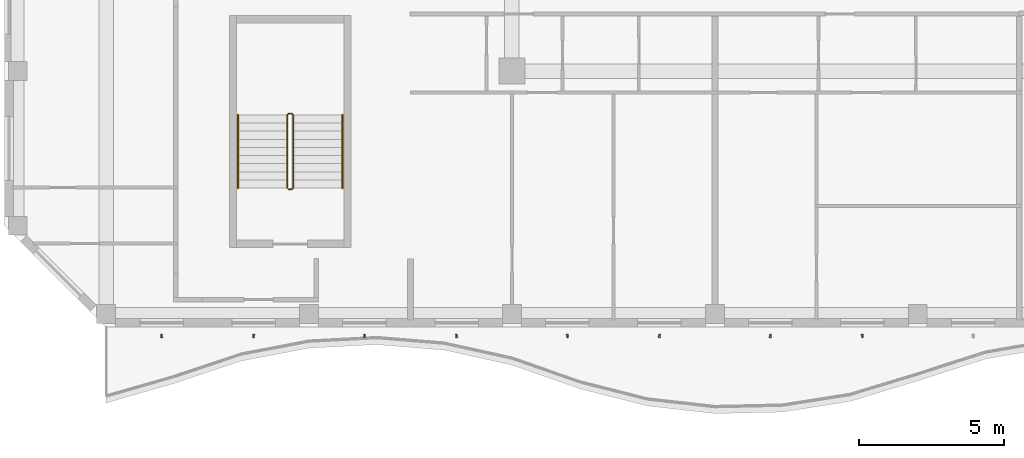
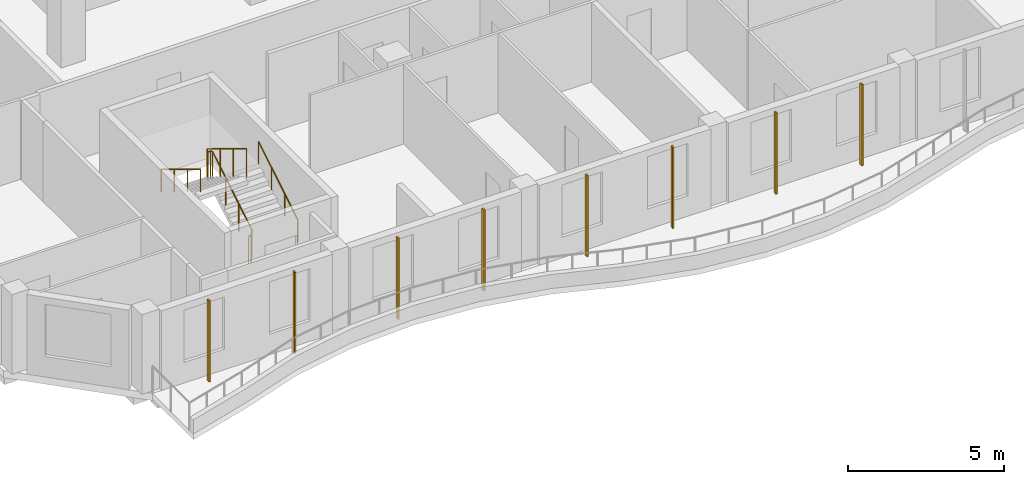
# One storey, part 12 of 18: 8 shading devices, 3 railings.
"""IFC4 building model written with IfcOpenShell, lengths in metres."""

import ifcopenshell
import ifcopenshell.guid

model = None  # the IFC model being written
_history = None  # IfcOwnerHistory: only IFC2X3 demands one
_inside = {}  # id of a spatial element -> (the spatial element, [elements in it])
_under = {}  # id of a project, library or spatial element -> (it, [spatial elements below it])
_declared = {}  # id of a project -> (the project, [libraries it declares])
_typed = {}  # id of a type object -> (the type object, [elements of that type])
_made_of = {}  # id of a material, layer set ... -> (it, [elements and type objects made of it])


def new_model(schema):
    """Start an empty IFC model of exactly this schema.

    Asked for "IFC4X3", IfcOpenShell would pick the latest addendum, in which some entities
    have other attributes; the version numbers below select the first issue.
    IFC2X3 requires an IfcOwnerHistory on every rooted entity: one is made here for all.
    """
    global model, _history
    if schema == "IFC4X3":
        model = ifcopenshell.file(schema_version=(4, 3, 0, 0))
    else:
        model = ifcopenshell.file(schema=schema)
    _inside.clear()
    _under.clear()
    _declared.clear()
    _typed.clear()
    _made_of.clear()
    _history = None
    if model.schema == "IFC2X3":
        org = make("IfcOrganization", Name="unknown")
        user = make(
            "IfcPersonAndOrganization",
            ThePerson=make("IfcPerson", FamilyName="unknown"),
            TheOrganization=org,
        )
        app = make(
            "IfcApplication",
            ApplicationDeveloper=org,
            Version="unknown",
            ApplicationFullName="unknown",
            ApplicationIdentifier="unknown",
        )
        _history = make(
            "IfcOwnerHistory",
            OwningUser=user,
            OwningApplication=app,
            ChangeAction="ADDED",
            CreationDate=0,
        )
    return model


def make(cls, **values):
    """One entity of the class cls with the attributes given. An attribute that is None is left unset."""
    return model.create_entity(
        cls, **{name: value for name, value in values.items() if value is not None}
    )


def rooted(cls, **values):
    """An entity with a GlobalId (a new one), such as an element, a storey or a relation."""
    return make(cls, GlobalId=ifcopenshell.guid.new(), OwnerHistory=_history, **values)


def si_unit(unit_type, name, prefix=None):
    """IfcSIUnit, for example si_unit("LENGTHUNIT", "METRE", prefix="MILLI")."""
    return make("IfcSIUnit", UnitType=unit_type, Prefix=prefix, Name=name)


def assignment(units):
    """IfcUnitAssignment: the units of a project."""
    return None if units is None else make("IfcUnitAssignment", Units=units)


def point(xyz):
    """IfcCartesianPoint."""
    return None if xyz is None else make("IfcCartesianPoint", Coordinates=xyz)


def direction(xyz):
    """IfcDirection."""
    return None if xyz is None else make("IfcDirection", DirectionRatios=xyz)


def frame(location, z_axis=None, x_axis=None):
    """IfcAxis2Placement3D, a coordinate frame: its origin and axes. An axis left out is left unset."""
    return make(
        "IfcAxis2Placement3D",
        Location=point(location),
        Axis=direction(z_axis),
        RefDirection=direction(x_axis),
    )


def frame_2d(location, x_axis=None):
    """IfcAxis2Placement2D, a coordinate frame in the plane: its origin and x axis."""
    return make(
        "IfcAxis2Placement2D", Location=point(location), RefDirection=direction(x_axis)
    )


def origin():
    """The frame at (0, 0, 0) with its axes left unset."""
    return frame((0.0, 0.0, 0.0))


def origin_2d():
    """The frame at (0, 0) in the plane with its x axis left unset."""
    return frame_2d((0.0, 0.0))


def place(relative_to, where):
    """IfcLocalPlacement: puts the frame where relative to a parent placement (None: the world)."""
    return make(
        "IfcLocalPlacement", PlacementRelTo=relative_to, RelativePlacement=where
    )


def context(
    kind, dimensions, precision=None, world=None, true_north=None, identifier=None
):
    """IfcGeometricRepresentationContext, for example the 3D "Model" context."""
    return make(
        "IfcGeometricRepresentationContext",
        ContextIdentifier=identifier,
        ContextType=kind,
        CoordinateSpaceDimension=dimensions,
        Precision=precision,
        WorldCoordinateSystem=world,
        TrueNorth=true_north,
    )


def subcontext(parent, identifier, kind, view, scale=None):
    """IfcGeometricRepresentationSubContext, for example "Body" below "Model"."""
    return make(
        "IfcGeometricRepresentationSubContext",
        ContextIdentifier=identifier,
        ContextType=kind,
        ParentContext=parent,
        TargetScale=scale,
        TargetView=view,
    )


def project(units=None, contexts=None):
    """IfcProject with its units and contexts."""
    return rooted(
        "IfcProject",
        Name="project",
        RepresentationContexts=contexts,
        UnitsInContext=assignment(units),
    )


def spatial(cls, under=None, at=None, **own):
    """A site, building, storey or space (cls), placed at a placement, below another one or the project."""
    s = rooted(cls, ObjectPlacement=at, **own)
    if under is not None:
        _under.setdefault(under.id(), (under, []))[1].append(s)
    return s


def profile(cls, at=None, kind="AREA", **sizes):
    """A parametric profile (cls). Its sizes go by their IFC names, for example OverallWidth=200.0."""
    return make(cls, ProfileType=kind, Position=at, **sizes)


def rectangle(**sizes):
    """IfcRectangleProfileDef."""
    return profile("IfcRectangleProfileDef", **sizes)


def circle(**sizes):
    """IfcCircleProfileDef."""
    return profile("IfcCircleProfileDef", **sizes)


def extrude(swept, where, along, depth):
    """IfcExtrudedAreaSolid: the profile swept, set in the frame where, extruded along a direction by depth."""
    return make(
        "IfcExtrudedAreaSolid",
        SweptArea=swept,
        Position=where,
        ExtrudedDirection=direction(along),
        Depth=depth,
    )


def shape(context_of_items, identifier, shape_type, items):
    """IfcShapeRepresentation: the items that make up one representation, for example the "Body"."""
    return make(
        "IfcShapeRepresentation",
        ContextOfItems=context_of_items,
        RepresentationIdentifier=identifier,
        RepresentationType=shape_type,
        Items=items,
    )


def source(mapping_origin, context_of_items, identifier, shape_type, items):
    """IfcRepresentationMap: a shape defined once, which mapped items show again and again."""
    return make(
        "IfcRepresentationMap",
        MappingOrigin=mapping_origin,
        MappedRepresentation=shape(context_of_items, identifier, shape_type, items),
    )


def transform(
    local_origin,
    x_axis=None,
    y_axis=None,
    z_axis=None,
    scale=None,
    scale2=None,
    scale3=None,
    uniform=True,
):
    """IfcCartesianTransformationOperator3D, or its non-uniform kind. x_axis, y_axis, z_axis: its Axis1, 2, 3."""
    if uniform:
        return make(
            "IfcCartesianTransformationOperator3D",
            Axis1=direction(x_axis),
            Axis2=direction(y_axis),
            LocalOrigin=point(local_origin),
            Scale=scale,
            Axis3=direction(z_axis),
        )
    return make(
        "IfcCartesianTransformationOperator3DnonUniform",
        Axis1=direction(x_axis),
        Axis2=direction(y_axis),
        LocalOrigin=point(local_origin),
        Scale=scale,
        Axis3=direction(z_axis),
        Scale2=scale2,
        Scale3=scale3,
    )


def mapped(mapping_source, mapping_target):
    """IfcMappedItem: shows the shape of a source again, moved by a transform."""
    return make(
        "IfcMappedItem", MappingSource=mapping_source, MappingTarget=mapping_target
    )


def material(Name=None, Category=None):
    """IfcMaterial."""
    return make("IfcMaterial", Name=Name, Category=Category)


def material_profile(
    of_material, cross_section, Name=None, Category=None, Priority=None
):
    """IfcMaterialProfile: a cross section and its material."""
    return make(
        "IfcMaterialProfile",
        Name=Name,
        Material=of_material,
        Profile=cross_section,
        Priority=Priority,
        Category=Category,
    )


def profile_set(profiles, Name=None, composite=None):
    """IfcMaterialProfileSet."""
    return make(
        "IfcMaterialProfileSet",
        Name=Name,
        MaterialProfiles=profiles,
        CompositeProfile=composite,
    )


def made_of(thing, what):
    """Note that an element or type object is made of a material, layer set ...; save() writes the relation."""
    if what is not None:
        _made_of.setdefault(what.id(), (what, []))[1].append(thing)
    return thing


def type_object(cls, material=None, **own):
    """A type object (cls), such as IfcWallType, which elements share."""
    return made_of(rooted(cls, **own), material)


def element(
    cls,
    number,
    at=None,
    inside=None,
    cuts=None,
    type_object=None,
    material=None,
    context=None,
    identifier="Body",
    shape_type=None,
    held_by="IfcProductDefinitionShape",
    body=None,
    shapes=None,
    **own,
):
    """One element of the class cls, such as IfcWall. Its Tag is "e" and its number.

    at: its placement. inside: the storey or other place that contains it. cuts: it is an
    opening in that element (IfcRelVoidsElement). A single representation is given by context,
    identifier, shape_type and body (its items); several are given by shapes. held_by: the class
    of the entity that holds the representations. save() writes the other relations.
    """
    e = rooted(cls, Tag="e%d" % number, ObjectPlacement=at, **own)
    if body is not None:
        shapes = [shape(context, identifier, shape_type, body)]
    if shapes is not None:
        e.Representation = make(held_by, Representations=shapes)
    if inside is not None:
        _inside.setdefault(inside.id(), (inside, []))[1].append(e)
    if cuts is not None:
        rooted(
            "IfcRelVoidsElement", RelatingBuildingElement=cuts, RelatedOpeningElement=e
        )
    if type_object is not None:
        _typed.setdefault(type_object.id(), (type_object, []))[1].append(e)
    return made_of(e, material)


def aggregate(whole, parts):
    """IfcRelAggregates: a whole, such as a stair, and the parts it consists of."""
    return rooted("IfcRelAggregates", RelatingObject=whole, RelatedObjects=parts)


def save(model, path):
    """Write the relations noted so far, then the file.

    IfcRelAggregates (storeys below a building ...), IfcRelContainedInSpatialStructure (elements
    in a storey), IfcRelDefinesByType, IfcRelAssociatesMaterial and IfcRelDeclares: one each for
    every whole, place, type object, material and project.
    """
    for whole, parts in _under.values():
        aggregate(whole, parts)
    for where, things in _inside.values():
        rooted(
            "IfcRelContainedInSpatialStructure",
            RelatedElements=things,
            RelatingStructure=where,
        )
    for kind, things in _typed.values():
        rooted("IfcRelDefinesByType", RelatedObjects=things, RelatingType=kind)
    for what, things in _made_of.values():
        rooted("IfcRelAssociatesMaterial", RelatedObjects=things, RelatingMaterial=what)
    for by, libraries in _declared.values():
        rooted("IfcRelDeclares", RelatingContext=by, RelatedDefinitions=libraries)
    model.write(path)


model = new_model("IFC4")

# Units and contexts
model_context = context("Model", 3, precision=1e-05, world=origin(), true_north=direction((0.0, 1.0)))
body_context = subcontext(model_context, "Body", "Model", "MODEL_VIEW")
ifc_project = project(units=[si_unit("LENGTHUNIT", "METRE"), si_unit("AREAUNIT", "SQUARE_METRE"), si_unit("VOLUMEUNIT", "CUBIC_METRE"), si_unit("PLANEANGLEUNIT", "RADIAN"), si_unit("MASSUNIT", "GRAM", prefix="KILO")], contexts=[model_context])

# Site, building, storey
site_placement = place(None, origin())
site = spatial("IfcSite", under=ifc_project, at=site_placement, CompositionType="ELEMENT")
building_placement = place(site_placement, origin())
building = spatial("IfcBuilding", under=site, at=building_placement, Name="Kilnfold Tower and Market Hall", CompositionType="ELEMENT")
storey_placement = place(building_placement, frame((0.0, 0.0, 280.60009765625)))
storey = spatial("IfcBuildingStorey", under=building, at=storey_placement, Name="L69", CompositionType="ELEMENT", Elevation=280.60009765625)

# Railings
ifc_material_1 = material(Name="Stainless steel 316", Category="steel")
railing_type_1 = type_object("IfcRailingType", Name="CORE STAIR GUARD 1100", PredefinedType="GUARDRAIL", material=ifc_material_1)
railing_1_placement = place(storey_placement, frame((-15.699951171875, -13.75, 0.0)))
element("IfcRailing", 1, at=railing_1_placement, inside=storey, type_object=railing_type_1, Name="L69 ST3 stair guard 1", PredefinedType="GUARDRAIL", context=body_context, shape_type="SweptSolid", body=[
    extrude(circle(Radius=0.02392578125, at=origin_2d()), frame((0.0, 0.0, 1.076171875), z_axis=(1.0, 0.0, 0.0), x_axis=(0.0, 1.0, 0.0)), (0.0, 0.0, 1.0), 0.099853515625),
    extrude(circle(Radius=0.02392578125, at=origin_2d()), frame((0.099853515625, 0.0, 1.076171875), z_axis=(0.271895245746, 0.271895245746, 0.923117517265), x_axis=(-0.707106781187, 0.707106781187, 0.0)), (0.0, 0.0, 1.0), 0.18408203125),
    extrude(circle(Radius=0.02392578125, at=origin_2d()), frame((0.14990234375, 0.050048828125, 1.24609375), z_axis=(0.0, 0.85478489116, 0.518982456201), x_axis=(-1.0, 0.0, 0.0)), (0.0, 0.0, 1.0), 2.9482421875),
    extrude(circle(Radius=0.02392578125, at=origin_2d()), frame((0.14990234375, 2.570068359375, 2.77587890625), z_axis=(-0.707106781187, 0.707106781187, 0.0), x_axis=(-0.707106781187, -0.707106781187, 0.0)), (0.0, 0.0, 1.0), 0.07080078125),
    extrude(circle(Radius=0.02392578125, at=origin_2d()), frame((0.099853515625, 2.6201171875, 2.77587890625), z_axis=(-1.0, 0.0, 0.0), x_axis=(0.0, -1.0, 0.0)), (0.0, 0.0, 1.0), 0.099853515625),
    extrude(circle(Radius=0.02392578125, at=origin_2d()), frame((0.0, 2.6201171875, 2.77587890625), z_axis=(-0.271895245746, -0.271895245746, 0.923117517265), x_axis=(0.707106781187, -0.707106781187, 0.0)), (0.0, 0.0, 1.0), 0.18408203125),
    extrude(circle(Radius=0.02392578125, at=origin_2d()), frame((-0.050048828125, 2.570068359375, 2.94580078125), z_axis=(0.0, -0.85478489116, 0.518982456201), x_axis=(1.0, 0.0, 0.0)), (0.0, 0.0, 1.0), 2.9482421875),
    extrude(circle(Radius=0.02099609375, at=origin_2d()), origin(), (0.0, 0.0, 1.0), 1.052001953125),
    extrude(circle(Radius=0.02099609375, at=origin_2d()), frame((0.099853515625, 0.0, 0.0)), (0.0, 0.0, 1.0), 1.052001953125),
    extrude(circle(Radius=0.02099609375, at=origin_2d()), frame((0.14990234375, 0.050048828125, 0.169921875)), (0.0, 0.0, 1.0), 1.052001953125),
    extrude(circle(Radius=0.02099609375, at=origin_2d()), frame((0.14990234375, 0.89013671875, 0.679931640625)), (0.0, 0.0, 1.0), 1.052001953125),
    extrude(circle(Radius=0.02099609375, at=origin_2d()), frame((0.14990234375, 1.72998046875, 1.18994140625)), (0.0, 0.0, 1.0), 1.052001953125),
    extrude(circle(Radius=0.02099609375, at=origin_2d()), frame((0.14990234375, 2.570068359375, 1.699951171875)), (0.0, 0.0, 1.0), 1.052001953125),
    extrude(circle(Radius=0.02099609375, at=origin_2d()), frame((0.099853515625, 2.6201171875, 1.699951171875)), (0.0, 0.0, 1.0), 1.052001953125),
    extrude(circle(Radius=0.02099609375, at=origin_2d()), frame((0.0, 2.6201171875, 1.699951171875)), (0.0, 0.0, 1.0), 1.052001953125),
    extrude(circle(Radius=0.02099609375, at=origin_2d()), frame((-0.050048828125, 2.570068359375, 1.869873046875)), (0.0, 0.0, 1.0), 1.052001953125),
    extrude(circle(Radius=0.02099609375, at=origin_2d()), frame((-0.050048828125, 1.72998046875, 2.3798828125)), (0.0, 0.0, 1.0), 1.052001953125),
    extrude(circle(Radius=0.02099609375, at=origin_2d()), frame((-0.050048828125, 0.89013671875, 2.889892578125)), (0.0, 0.0, 1.0), 1.052001953125),
    extrude(circle(Radius=0.02099609375, at=origin_2d()), frame((-0.050048828125, 0.050048828125, 3.39990234375)), (0.0, 0.0, 1.0), 1.052001953125),
])
ifc_material_2 = material(Name="Stainless steel 316", Category="steel")
railing_type_2 = type_object("IfcRailingType", Name="CORE STAIR HANDRAIL 900", PredefinedType="HANDRAIL", material=ifc_material_2)
railing_2_placement = place(storey_placement, frame((-13.85009765625, -13.699951171875, 0.169921875)))
element("IfcRailing", 2, at=railing_2_placement, inside=storey, type_object=railing_type_2, Name="L69 ST3 stair handrail 1", PredefinedType="HANDRAIL", context=body_context, shape_type="SweptSolid", body=[
    extrude(circle(Radius=0.02392578125, at=origin_2d()), frame((0.0, 0.0, 0.8759765625), z_axis=(0.0, 0.85478489116, 0.518982456201), x_axis=(-1.0, 0.0, 0.0)), (0.0, 0.0, 1.0), 2.9482421875),
    extrude(circle(Radius=0.02099609375, at=origin_2d()), origin(), (0.0, 0.0, 1.0), 0.851806640625),
    extrude(circle(Radius=0.02099609375, at=origin_2d()), frame((0.0, 0.840087890625, 0.510009765625)), (0.0, 0.0, 1.0), 0.851806640625),
    extrude(circle(Radius=0.02099609375, at=origin_2d()), frame((0.0, 1.679931640625, 1.02001953125)), (0.0, 0.0, 1.0), 0.851806640625),
    extrude(circle(Radius=0.02099609375, at=origin_2d()), frame((0.0, 2.52001953125, 1.530029296875)), (0.0, 0.0, 1.0), 0.851806640625),
])
railing_3_placement = place(storey_placement, frame((-17.449951171875, -11.179931640625, 1.869873046875)))
element("IfcRailing", 3, at=railing_3_placement, inside=storey, type_object=railing_type_2, Name="L69 ST3 stair handrail 2", PredefinedType="HANDRAIL", context=body_context, shape_type="SweptSolid", body=[
    extrude(circle(Radius=0.02392578125, at=origin_2d()), frame((0.0, 0.0, 0.8759765625), z_axis=(0.0, -0.85478489116, 0.518982456201), x_axis=(1.0, 0.0, 0.0)), (0.0, 0.0, 1.0), 2.9482421875),
    extrude(circle(Radius=0.02099609375, at=origin_2d()), origin(), (0.0, 0.0, 1.0), 0.851806640625),
    extrude(circle(Radius=0.02099609375, at=origin_2d()), frame((0.0, -0.840087890625, 0.510009765625)), (0.0, 0.0, 1.0), 0.851806640625),
    extrude(circle(Radius=0.02099609375, at=origin_2d()), frame((0.0, -1.679931640625, 1.02001953125)), (0.0, 0.0, 1.0), 0.851806640625),
    extrude(circle(Radius=0.02099609375, at=origin_2d()), frame((0.0, -2.52001953125, 1.530029296875)), (0.0, 0.0, 1.0), 0.851806640625),
])

# Shading devices
ifc_material_3 = material(Name="Terracotta", Category="masonry")
ifc_material_profile = material_profile(ifc_material_3, rectangle(XDim=0.06005859375, YDim=0.1201171875, at=origin_2d()), Name="BAG 60x120")
ifc_profile_set = profile_set([ifc_material_profile], Name="Terracotta")
shading_device_type = type_object("IfcShadingDeviceType", Name="BAGUETTE", PredefinedType="USERDEFINED", material=ifc_profile_set)
shared_shape = source(origin(), body_context, "Body", "SweptSolid", [
    extrude(rectangle(XDim=0.06005859375, YDim=0.1201171875, at=origin_2d()), origin(), (0.0, 0.0, 1.0), 3.179931640625),
])
for number, where, z_axis, x_axis, name in (
    (4, (-20.08740234375, -18.800048828125, 0.0), (0.0, 0.0, 1.0), (0.997718223174, 0.067515532625, 0.0), "Terracotta baguette L69 S"),
    (5, (-16.91259765625, -18.800048828125, 0.0), (0.0, 0.0, 1.0), (0.993837954448, -0.110842772871, 0.0), "Terracotta baguette L69 S"),
    (6, (-13.08740234375, -18.800048828125, 0.0), (0.0, 0.0, 1.0), (0.997718223174, -0.067515532625, 0.0), "Terracotta baguette L69 S"),
    (7, (-9.91259765625, -18.800048828125, 0.0), (0.0, 0.0, 1.0), (0.993837954448, 0.110842772871, 0.0), "Terracotta baguette L69 S"),
    (8, (-6.08740234375, -18.800048828125, 0.0), (0.0, 0.0, 1.0), (0.997718223174, 0.067515532625, 0.0), "Terracotta baguette L69 S"),
    (9, (-2.91259765625, -18.800048828125, 0.0), (0.0, 0.0, 1.0), (0.993837954448, -0.110842772871, 0.0), "Terracotta baguette L69 S"),
    (10, (0.91259765625, -18.800048828125, 0.0), (0.0, 0.0, 1.0), (0.997718223174, -0.067515532625, 0.0), "Terracotta baguette L69 S"),
    (11, (4.08740234375, -18.800048828125, 0.0), (0.0, 0.0, 1.0), (0.993837954448, 0.110842772871, 0.0), "Terracotta baguette L69 S"),
):
    element("IfcShadingDevice", number, at=place(storey_placement, frame(where, z_axis=z_axis, x_axis=x_axis)), inside=storey, type_object=shading_device_type, Name=name, ObjectType="BAGUETTE", PredefinedType="USERDEFINED", context=body_context, shape_type="MappedRepresentation", body=[
        mapped(shared_shape, transform((0.0, 0.0, 0.0))),
    ])

save(model, "model.ifc")
